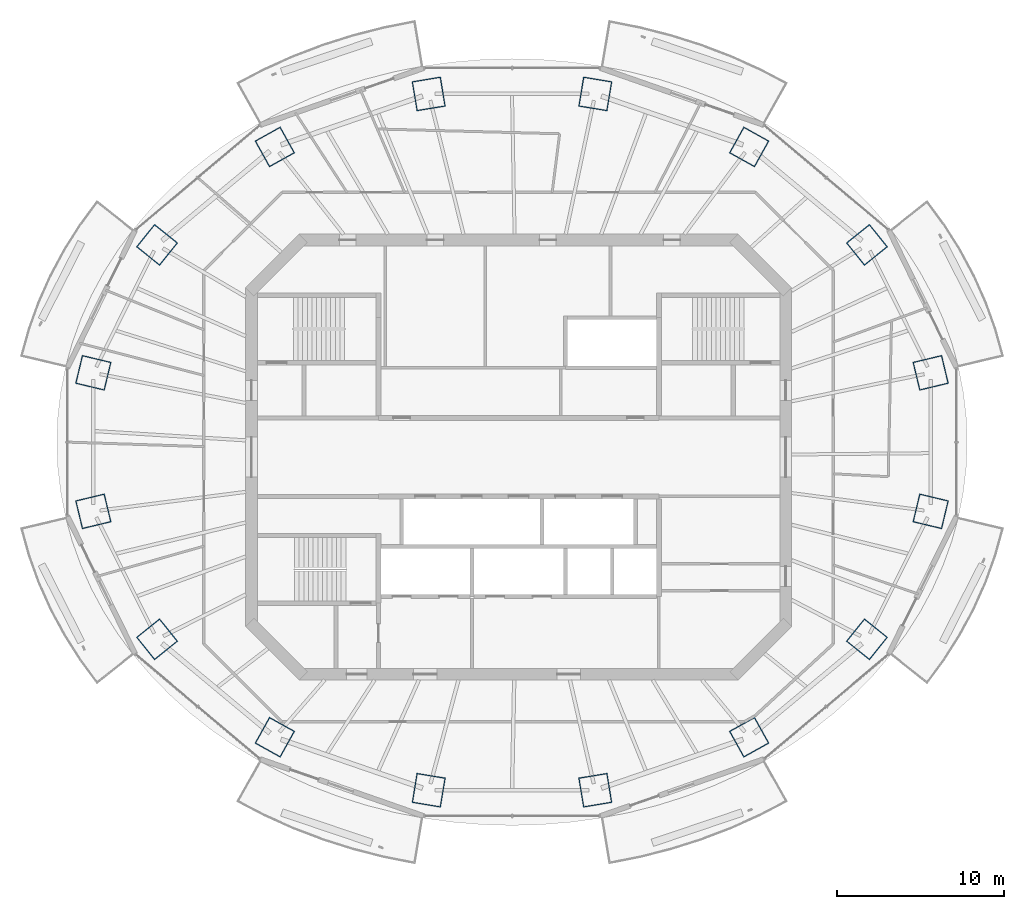
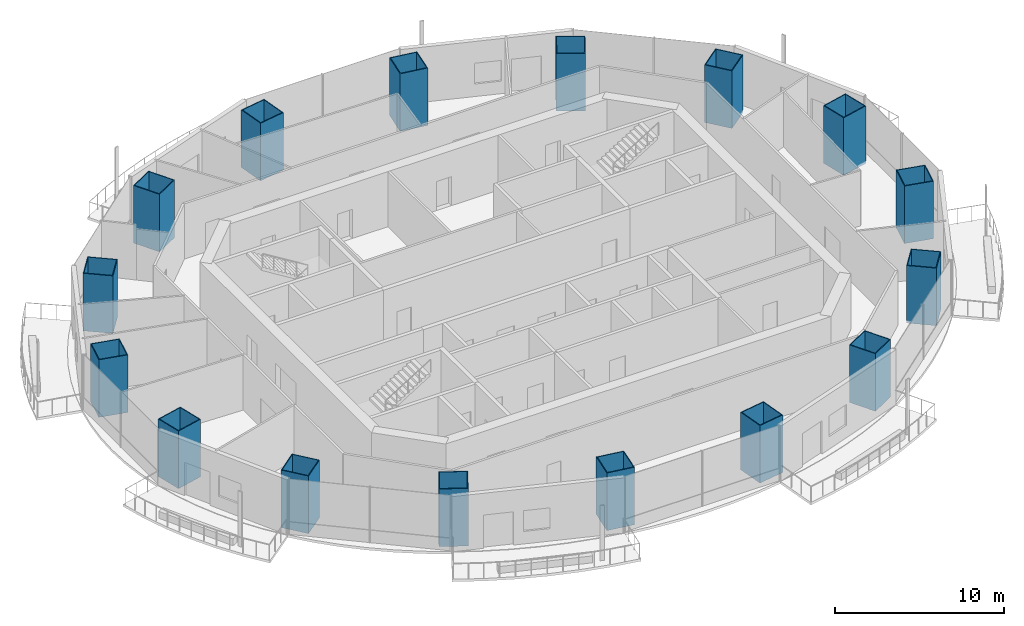
# One storey, part 1 of 16: 16 columns.
"""IFC4 building model written with IfcOpenShell, lengths in metres."""

import ifcopenshell
import ifcopenshell.guid

model = None  # the IFC model being written
_history = None  # IfcOwnerHistory: only IFC2X3 demands one
_inside = {}  # id of a spatial element -> (the spatial element, [elements in it])
_under = {}  # id of a project, library or spatial element -> (it, [spatial elements below it])
_declared = {}  # id of a project -> (the project, [libraries it declares])
_typed = {}  # id of a type object -> (the type object, [elements of that type])
_made_of = {}  # id of a material, layer set ... -> (it, [elements and type objects made of it])


def new_model(schema):
    """Start an empty IFC model of exactly this schema.

    Asked for "IFC4X3", IfcOpenShell would pick the latest addendum, in which some entities
    have other attributes; the version numbers below select the first issue.
    IFC2X3 requires an IfcOwnerHistory on every rooted entity: one is made here for all.
    """
    global model, _history
    if schema == "IFC4X3":
        model = ifcopenshell.file(schema_version=(4, 3, 0, 0))
    else:
        model = ifcopenshell.file(schema=schema)
    _inside.clear()
    _under.clear()
    _declared.clear()
    _typed.clear()
    _made_of.clear()
    _history = None
    if model.schema == "IFC2X3":
        org = make("IfcOrganization", Name="unknown")
        user = make(
            "IfcPersonAndOrganization",
            ThePerson=make("IfcPerson", FamilyName="unknown"),
            TheOrganization=org,
        )
        app = make(
            "IfcApplication",
            ApplicationDeveloper=org,
            Version="unknown",
            ApplicationFullName="unknown",
            ApplicationIdentifier="unknown",
        )
        _history = make(
            "IfcOwnerHistory",
            OwningUser=user,
            OwningApplication=app,
            ChangeAction="ADDED",
            CreationDate=0,
        )
    return model


def make(cls, **values):
    """One entity of the class cls with the attributes given. An attribute that is None is left unset."""
    return model.create_entity(
        cls, **{name: value for name, value in values.items() if value is not None}
    )


def rooted(cls, **values):
    """An entity with a GlobalId (a new one), such as an element, a storey or a relation."""
    return make(cls, GlobalId=ifcopenshell.guid.new(), OwnerHistory=_history, **values)


def si_unit(unit_type, name, prefix=None):
    """IfcSIUnit, for example si_unit("LENGTHUNIT", "METRE", prefix="MILLI")."""
    return make("IfcSIUnit", UnitType=unit_type, Prefix=prefix, Name=name)


def assignment(units):
    """IfcUnitAssignment: the units of a project."""
    return None if units is None else make("IfcUnitAssignment", Units=units)


def point(xyz):
    """IfcCartesianPoint."""
    return None if xyz is None else make("IfcCartesianPoint", Coordinates=xyz)


def direction(xyz):
    """IfcDirection."""
    return None if xyz is None else make("IfcDirection", DirectionRatios=xyz)


def frame(location, z_axis=None, x_axis=None):
    """IfcAxis2Placement3D, a coordinate frame: its origin and axes. An axis left out is left unset."""
    return make(
        "IfcAxis2Placement3D",
        Location=point(location),
        Axis=direction(z_axis),
        RefDirection=direction(x_axis),
    )


def frame_2d(location, x_axis=None):
    """IfcAxis2Placement2D, a coordinate frame in the plane: its origin and x axis."""
    return make(
        "IfcAxis2Placement2D", Location=point(location), RefDirection=direction(x_axis)
    )


def origin():
    """The frame at (0, 0, 0) with its axes left unset."""
    return frame((0.0, 0.0, 0.0))


def origin_2d():
    """The frame at (0, 0) in the plane with its x axis left unset."""
    return frame_2d((0.0, 0.0))


def place(relative_to, where):
    """IfcLocalPlacement: puts the frame where relative to a parent placement (None: the world)."""
    return make(
        "IfcLocalPlacement", PlacementRelTo=relative_to, RelativePlacement=where
    )


def context(
    kind, dimensions, precision=None, world=None, true_north=None, identifier=None
):
    """IfcGeometricRepresentationContext, for example the 3D "Model" context."""
    return make(
        "IfcGeometricRepresentationContext",
        ContextIdentifier=identifier,
        ContextType=kind,
        CoordinateSpaceDimension=dimensions,
        Precision=precision,
        WorldCoordinateSystem=world,
        TrueNorth=true_north,
    )


def subcontext(parent, identifier, kind, view, scale=None):
    """IfcGeometricRepresentationSubContext, for example "Body" below "Model"."""
    return make(
        "IfcGeometricRepresentationSubContext",
        ContextIdentifier=identifier,
        ContextType=kind,
        ParentContext=parent,
        TargetScale=scale,
        TargetView=view,
    )


def project(units=None, contexts=None):
    """IfcProject with its units and contexts."""
    return rooted(
        "IfcProject",
        Name="project",
        RepresentationContexts=contexts,
        UnitsInContext=assignment(units),
    )


def spatial(cls, under=None, at=None, **own):
    """A site, building, storey or space (cls), placed at a placement, below another one or the project."""
    s = rooted(cls, ObjectPlacement=at, **own)
    if under is not None:
        _under.setdefault(under.id(), (under, []))[1].append(s)
    return s


def profile(cls, at=None, kind="AREA", **sizes):
    """A parametric profile (cls). Its sizes go by their IFC names, for example OverallWidth=200.0."""
    return make(cls, ProfileType=kind, Position=at, **sizes)


def rectangle(**sizes):
    """IfcRectangleProfileDef."""
    return profile("IfcRectangleProfileDef", **sizes)


def hollow_rectangle(**sizes):
    """IfcRectangleHollowProfileDef."""
    return profile("IfcRectangleHollowProfileDef", **sizes)


def extrude(swept, where, along, depth):
    """IfcExtrudedAreaSolid: the profile swept, set in the frame where, extruded along a direction by depth."""
    return make(
        "IfcExtrudedAreaSolid",
        SweptArea=swept,
        Position=where,
        ExtrudedDirection=direction(along),
        Depth=depth,
    )


def shape(context_of_items, identifier, shape_type, items):
    """IfcShapeRepresentation: the items that make up one representation, for example the "Body"."""
    return make(
        "IfcShapeRepresentation",
        ContextOfItems=context_of_items,
        RepresentationIdentifier=identifier,
        RepresentationType=shape_type,
        Items=items,
    )


def material(Name=None, Category=None):
    """IfcMaterial."""
    return make("IfcMaterial", Name=Name, Category=Category)


def material_profile(
    of_material, cross_section, Name=None, Category=None, Priority=None
):
    """IfcMaterialProfile: a cross section and its material."""
    return make(
        "IfcMaterialProfile",
        Name=Name,
        Material=of_material,
        Profile=cross_section,
        Priority=Priority,
        Category=Category,
    )


def profile_set(profiles, Name=None, composite=None):
    """IfcMaterialProfileSet."""
    return make(
        "IfcMaterialProfileSet",
        Name=Name,
        MaterialProfiles=profiles,
        CompositeProfile=composite,
    )


def made_of(thing, what):
    """Note that an element or type object is made of a material, layer set ...; save() writes the relation."""
    if what is not None:
        _made_of.setdefault(what.id(), (what, []))[1].append(thing)
    return thing


def type_object(cls, material=None, **own):
    """A type object (cls), such as IfcWallType, which elements share."""
    return made_of(rooted(cls, **own), material)


def element(
    cls,
    number,
    at=None,
    inside=None,
    cuts=None,
    type_object=None,
    material=None,
    context=None,
    identifier="Body",
    shape_type=None,
    held_by="IfcProductDefinitionShape",
    body=None,
    shapes=None,
    **own,
):
    """One element of the class cls, such as IfcWall. Its Tag is "e" and its number.

    at: its placement. inside: the storey or other place that contains it. cuts: it is an
    opening in that element (IfcRelVoidsElement). A single representation is given by context,
    identifier, shape_type and body (its items); several are given by shapes. held_by: the class
    of the entity that holds the representations. save() writes the other relations.
    """
    e = rooted(cls, Tag="e%d" % number, ObjectPlacement=at, **own)
    if body is not None:
        shapes = [shape(context, identifier, shape_type, body)]
    if shapes is not None:
        e.Representation = make(held_by, Representations=shapes)
    if inside is not None:
        _inside.setdefault(inside.id(), (inside, []))[1].append(e)
    if cuts is not None:
        rooted(
            "IfcRelVoidsElement", RelatingBuildingElement=cuts, RelatedOpeningElement=e
        )
    if type_object is not None:
        _typed.setdefault(type_object.id(), (type_object, []))[1].append(e)
    return made_of(e, material)


def aggregate(whole, parts):
    """IfcRelAggregates: a whole, such as a stair, and the parts it consists of."""
    return rooted("IfcRelAggregates", RelatingObject=whole, RelatedObjects=parts)


def save(model, path):
    """Write the relations noted so far, then the file.

    IfcRelAggregates (storeys below a building ...), IfcRelContainedInSpatialStructure (elements
    in a storey), IfcRelDefinesByType, IfcRelAssociatesMaterial and IfcRelDeclares: one each for
    every whole, place, type object, material and project.
    """
    for whole, parts in _under.values():
        aggregate(whole, parts)
    for where, things in _inside.values():
        rooted(
            "IfcRelContainedInSpatialStructure",
            RelatedElements=things,
            RelatingStructure=where,
        )
    for kind, things in _typed.values():
        rooted("IfcRelDefinesByType", RelatedObjects=things, RelatingType=kind)
    for what, things in _made_of.values():
        rooted("IfcRelAssociatesMaterial", RelatedObjects=things, RelatingMaterial=what)
    for by, libraries in _declared.values():
        rooted("IfcRelDeclares", RelatingContext=by, RelatedDefinitions=libraries)
    model.write(path)


model = new_model("IFC4")

# Units and contexts
model_context = context("Model", 3, precision=1e-05, world=origin(), true_north=direction((0.0, 1.0)))
body_context = subcontext(model_context, "Body", "Model", "MODEL_VIEW")
ifc_project = project(units=[si_unit("LENGTHUNIT", "METRE"), si_unit("AREAUNIT", "SQUARE_METRE"), si_unit("VOLUMEUNIT", "CUBIC_METRE"), si_unit("PLANEANGLEUNIT", "RADIAN"), si_unit("MASSUNIT", "GRAM", prefix="KILO")], contexts=[model_context])

# Site, building, storey
site_placement = place(None, origin())
site = spatial("IfcSite", under=ifc_project, at=site_placement, CompositionType="ELEMENT")
building_placement = place(site_placement, origin())
building = spatial("IfcBuilding", under=site, at=building_placement, Name="Marenthal Gate Tower", CompositionType="ELEMENT")
storey_placement = place(building_placement, frame((0.0, 0.0, 342.60009765625)))
storey = spatial("IfcBuildingStorey", under=building, at=storey_placement, Name="L77", CompositionType="ELEMENT", Elevation=342.60009765625)

# Columns
ifc_material_1 = material(Name="Steel S460", Category="steel")
ifc_material_profile_1 = material_profile(ifc_material_1, hollow_rectangle(XDim=1.75, YDim=1.800048828125, WallThickness=0.054931640625, at=origin_2d()), Name="CFT BOX 1800X1750X55")
ifc_material_2 = material(Name="Concrete 70 MPa", Category="concrete")
ifc_material_profile_2 = material_profile(ifc_material_2, rectangle(XDim=1.639892578125, YDim=1.68994140625, at=origin_2d()), Name="CFT BOX 1800X1750X55 INFILL")
ifc_profile_set = profile_set([ifc_material_profile_1, ifc_material_profile_2], Name="Steel S460 shell, Concrete 70 MPa infill")
column_type = type_object("IfcColumnType", Name="CFT BOX 1800X1750X55", PredefinedType="COLUMN", material=ifc_profile_set)
for number, where, z_axis, x_axis, name in (
    (1, (24.677734375, 5.048095703125, -0.18017578125), (0.0, 0.0, 1.0), (0.232642553419, -0.97256230769, 0.0), "COL-L77-01"),
    (2, (20.85986328125, 12.71240234375, -0.18017578125), (0.0, 0.0, 1.0), (0.626371189031, -0.779524940943, 0.0), "COL-L77-02"),
    (3, (13.805419921875, 18.57861328125, -0.18017578125), (0.0, 0.0, 1.0), (0.874131033778, -0.485690164391, 0.0), "COL-L77-03"),
    (4, (4.58837890625, 21.75341796875, -0.18017578125), (0.0, 0.0, 1.0), (0.986594956596, -0.16318820919, 0.0), "COL-L77-04"),
    (5, (-5.38818359375, 21.75341796875, -0.18017578125), (0.0, 0.0, 1.0), (0.986594956596, 0.16318820919, 0.0), "COL-L77-05"),
    (6, (-14.60546875, 18.57861328125, -0.18017578125), (0.0, 0.0, 1.0), (0.874131033778, 0.485690164391, 0.0), "COL-L77-06"),
    (7, (-21.659912109375, 12.71240234375, -0.18017578125), (0.0, 0.0, 1.0), (0.626371189031, 0.779524940943, 0.0), "COL-L77-07"),
    (8, (-25.477783203125, 5.048095703125, -0.18017578125), (0.0, 0.0, 1.0), (0.232642553419, 0.97256230769, 0.0), "COL-L77-08"),
    (9, (-25.477783203125, -3.248046875, -0.18017578125), (0.0, 0.0, 1.0), (-0.232642553419, 0.97256230769, 0.0), "COL-L77-09"),
    (10, (-21.659912109375, -10.91259765625, -0.18017578125), (0.0, 0.0, 1.0), (-0.626371189031, 0.779524940943, 0.0), "COL-L77-10"),
    (11, (-14.60546875, -16.77880859375, -0.18017578125), (0.0, 0.0, 1.0), (-0.874131033778, 0.485690164391, 0.0), "COL-L77-11"),
    (12, (-5.38818359375, -19.95361328125, -0.18017578125), (0.0, 0.0, 1.0), (-0.986594956596, 0.16318820919, 0.0), "COL-L77-12"),
    (13, (4.58837890625, -19.95361328125, -0.18017578125), (0.0, 0.0, 1.0), (-0.986594956596, -0.16318820919, 0.0), "COL-L77-13"),
    (14, (13.805419921875, -16.77880859375, -0.18017578125), (0.0, 0.0, 1.0), (-0.874131033778, -0.485690164391, 0.0), "COL-L77-14"),
    (15, (20.85986328125, -10.91259765625, -0.18017578125), (0.0, 0.0, 1.0), (-0.626371189031, -0.779524940943, 0.0), "COL-L77-15"),
    (16, (24.677734375, -3.248046875, -0.18017578125), (0.0, 0.0, 1.0), (-0.232642553419, -0.97256230769, 0.0), "COL-L77-16"),
):
    element("IfcColumn", number, at=place(storey_placement, frame(where, z_axis=z_axis, x_axis=x_axis)), inside=storey, type_object=column_type, Name=name, PredefinedType="COLUMN", context=body_context, shape_type="SweptSolid", body=[
        extrude(hollow_rectangle(XDim=1.75, YDim=1.800048828125, WallThickness=0.054931640625, at=origin_2d()), origin(), (0.0, 0.0, 1.0), 4.150146484375),
    ])

save(model, "model.ifc")
